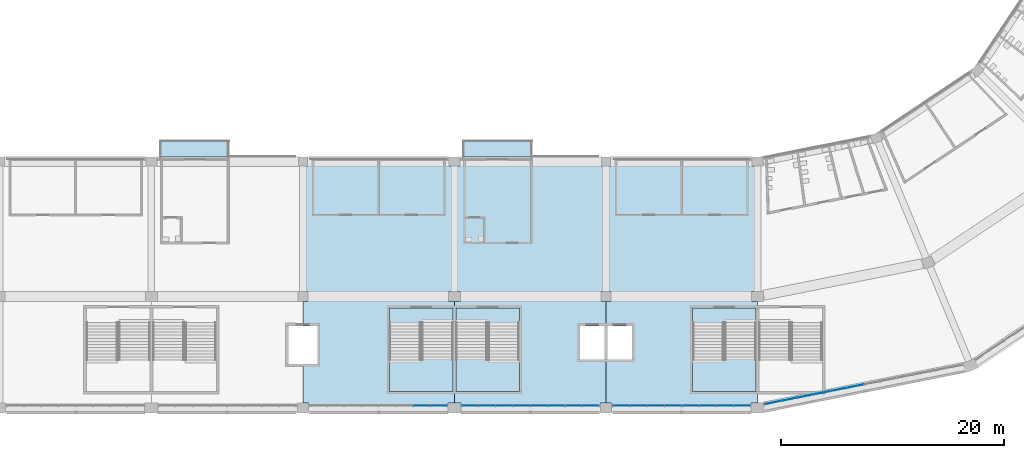
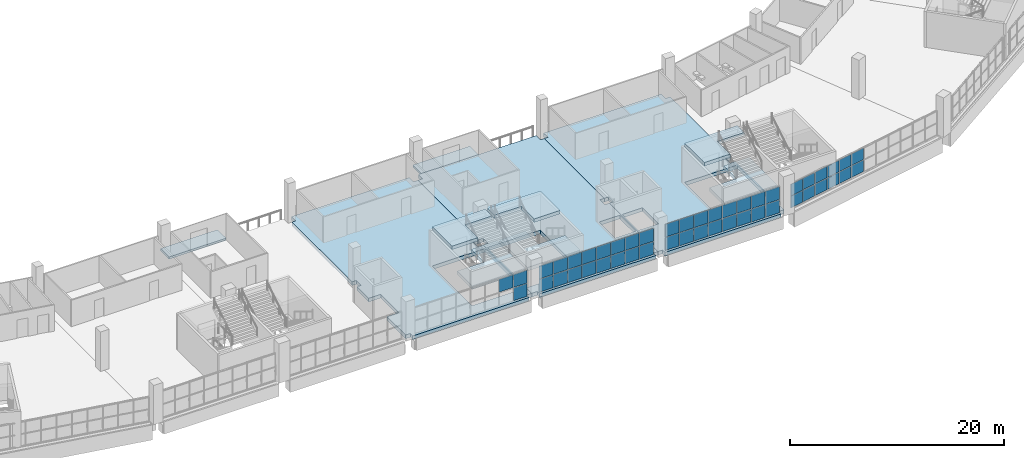
# One storey, part 58 of 199: 47 plates, 11 slabs, 7 elements without a shape of their own.
"""IFC4 building model written with IfcOpenShell, lengths in metres."""

from ifc_helpers import new_model, si_unit, direction, frame, origin, origin_2d, place, context, subcontext, project, spatial, polyline, rectangle, outline, extrude, material, layer, layer_set, type_object, element, aggregate, save


model = new_model("IFC4")

# Units and contexts
model_context = context("Model", 3, precision=1e-05, world=origin(), true_north=direction((0.0, 1.0)))
body_context = subcontext(model_context, "Body", "Model", "MODEL_VIEW")
ifc_project = project(units=[si_unit("LENGTHUNIT", "METRE"), si_unit("AREAUNIT", "SQUARE_METRE"), si_unit("VOLUMEUNIT", "CUBIC_METRE"), si_unit("PLANEANGLEUNIT", "RADIAN"), si_unit("MASSUNIT", "GRAM", prefix="KILO")], contexts=[model_context])

# Site, building, storey
site_placement = place(None, origin())
site = spatial("IfcSite", under=ifc_project, at=site_placement, CompositionType="ELEMENT")
building_placement = place(site_placement, origin())
building = spatial("IfcBuilding", under=site, at=building_placement, Name="Ogive Plaza Stadium", CompositionType="ELEMENT")
storey_placement = place(building_placement, frame((0.0, 0.0, 9.0)))
storey = spatial("IfcBuildingStorey", under=building, at=storey_placement, Name="L02", CompositionType="ELEMENT", Elevation=9.0)

# Slabs
ifc_material_1 = material(Name="Concrete C40/50", Category="concrete")
ifc_layer_1 = layer(ifc_material_1, 0.25)
ifc_layer_set_1 = layer_set([ifc_layer_1], Name="Concrete C40/50")
slab_type_1 = type_object("IfcSlabType", Name="Balcony slab 250", PredefinedType="FLOOR", material=ifc_layer_set_1)
slab_1_placement = place(storey_placement, frame((0.0, 0.0, -0.25)))
element("IfcSlab", 1, at=slab_1_placement, inside=storey, type_object=slab_type_1, Name="Suite terrace slab B13", PredefinedType="FLOOR", context=body_context, shape_type="SweptSolid", body=[
    extrude(outline(polyline([(7.625, -78.39990234375), (7.625, -80.0), (13.77490234375, -80.0), (13.77490234375, -78.39990234375), (7.625, -78.39990234375)])), origin(), (0.0, 0.0, 1.0), 0.25),
])
slab_2_placement = place(storey_placement, frame((0.0, 0.0, -0.25)))
element("IfcSlab", 2, at=slab_2_placement, inside=storey, type_object=slab_type_1, Name="Suite terrace slab B15", PredefinedType="FLOOR", context=body_context, shape_type="SweptSolid", body=[
    extrude(outline(polyline([(-19.574951171875, -78.39990234375), (-19.574951171875, -80.0), (-13.425048828125, -80.0), (-13.425048828125, -78.39990234375), (-19.574951171875, -78.39990234375)])), origin(), (0.0, 0.0, 1.0), 0.25),
])

# Curtain wall, plates
ifc_material_2 = material(Name="Bronze-anodised aluminium with laminated glass", Category="aluminium")
curtain_wall_type = type_object("IfcCurtainWallType", Name="Lancet curtain wall", PredefinedType="NOTDEFINED", material=ifc_material_2)
curtain_wall_1_placement = place(storey_placement, origin())
curtain_wall_1 = element("IfcCurtainWall", 3, at=curtain_wall_1_placement, inside=storey, type_object=curtain_wall_type, Name="CURTAIN WALL B11 L02", PredefinedType="NOTDEFINED")
ifc_material_3 = material(Name="Laminated glass", Category="glass")
ifc_layer_2 = layer(ifc_material_3, 0.028076171875)
ifc_layer_set_2 = layer_set([ifc_layer_2], Name="Laminated glass panel 28")
plate_type = type_object("IfcPlateType", Name="Laminated glass panel 28", PredefinedType="CURTAIN_PANEL", material=ifc_layer_set_2)
plate_1_placement = place(storey_placement, frame((42.78564453125, -100.548583984375, 0.0498046875), z_axis=(0.0, 0.0, 1.0), x_axis=(-0.980785280403, -0.195090322016, 0.0)))
plate_1 = element("IfcPlate", 4, at=plate_1_placement, type_object=plate_type, Name="CW-B11-L02 panel 7.1", PredefinedType="CURTAIN_PANEL", context=body_context, shape_type="SweptSolid", body=[
    extrude(rectangle(XDim=1.4638671875, YDim=0.028076171875, at=origin_2d()), origin(), (0.0, 0.0, 1.0), 1.320068359375),
])
plate_2_placement = place(storey_placement, frame((42.78564453125, -100.548583984375, 1.419921875), z_axis=(0.0, 0.0, 1.0), x_axis=(-0.980785280403, -0.195090322016, 0.0)))
plate_2 = element("IfcPlate", 5, at=plate_2_placement, type_object=plate_type, Name="CW-B11-L02 panel 7.2", PredefinedType="CURTAIN_PANEL", context=body_context, shape_type="SweptSolid", body=[
    extrude(rectangle(XDim=1.4638671875, YDim=0.028076171875, at=origin_2d()), origin(), (0.0, 0.0, 1.0), 1.320068359375),
])
plate_3_placement = place(storey_placement, frame((41.301025390625, -100.84375, 0.0498046875), z_axis=(0.0, 0.0, 1.0), x_axis=(-0.980785280403, -0.195090322016, 0.0)))
plate_3 = element("IfcPlate", 6, at=plate_3_placement, type_object=plate_type, Name="CW-B11-L02 panel 8.1", PredefinedType="CURTAIN_PANEL", context=body_context, shape_type="SweptSolid", body=[
    extrude(rectangle(XDim=1.4638671875, YDim=0.028076171875, at=origin_2d()), origin(), (0.0, 0.0, 1.0), 1.320068359375),
])
plate_4_placement = place(storey_placement, frame((41.301025390625, -100.84375, 1.419921875), z_axis=(0.0, 0.0, 1.0), x_axis=(-0.980785280403, -0.195090322016, 0.0)))
plate_4 = element("IfcPlate", 7, at=plate_4_placement, type_object=plate_type, Name="CW-B11-L02 panel 8.2", PredefinedType="CURTAIN_PANEL", context=body_context, shape_type="SweptSolid", body=[
    extrude(rectangle(XDim=1.4638671875, YDim=0.028076171875, at=origin_2d()), origin(), (0.0, 0.0, 1.0), 1.320068359375),
])
plate_5_placement = place(storey_placement, frame((39.816162109375, -101.13916015625, 0.0498046875), z_axis=(0.0, 0.0, 1.0), x_axis=(-0.980785280403, -0.195090322016, 0.0)))
plate_5 = element("IfcPlate", 8, at=plate_5_placement, type_object=plate_type, Name="CW-B11-L02 panel 9.1", PredefinedType="CURTAIN_PANEL", context=body_context, shape_type="SweptSolid", body=[
    extrude(rectangle(XDim=1.4638671875, YDim=0.028076171875, at=origin_2d()), origin(), (0.0, 0.0, 1.0), 1.320068359375),
])
plate_6_placement = place(storey_placement, frame((39.816162109375, -101.13916015625, 1.419921875), z_axis=(0.0, 0.0, 1.0), x_axis=(-0.980785280403, -0.195090322016, 0.0)))
plate_6 = element("IfcPlate", 9, at=plate_6_placement, type_object=plate_type, Name="CW-B11-L02 panel 9.2", PredefinedType="CURTAIN_PANEL", context=body_context, shape_type="SweptSolid", body=[
    extrude(rectangle(XDim=1.4638671875, YDim=0.028076171875, at=origin_2d()), origin(), (0.0, 0.0, 1.0), 1.320068359375),
])
plate_7_placement = place(storey_placement, frame((38.331298828125, -101.4345703125, 0.0498046875), z_axis=(0.0, 0.0, 1.0), x_axis=(-0.980785280403, -0.195090322016, 0.0)))
plate_7 = element("IfcPlate", 10, at=plate_7_placement, type_object=plate_type, Name="CW-B11-L02 panel 10.1", PredefinedType="CURTAIN_PANEL", context=body_context, shape_type="SweptSolid", body=[
    extrude(rectangle(XDim=1.4638671875, YDim=0.028076171875, at=origin_2d()), origin(), (0.0, 0.0, 1.0), 1.320068359375),
])
plate_8_placement = place(storey_placement, frame((38.331298828125, -101.4345703125, 1.419921875), z_axis=(0.0, 0.0, 1.0), x_axis=(-0.980785280403, -0.195090322016, 0.0)))
plate_8 = element("IfcPlate", 11, at=plate_8_placement, type_object=plate_type, Name="CW-B11-L02 panel 10.2", PredefinedType="CURTAIN_PANEL", context=body_context, shape_type="SweptSolid", body=[
    extrude(rectangle(XDim=1.4638671875, YDim=0.028076171875, at=origin_2d()), origin(), (0.0, 0.0, 1.0), 1.320068359375),
])
plate_9_placement = place(storey_placement, frame((36.8466796875, -101.729736328125, 0.0498046875), z_axis=(0.0, 0.0, 1.0), x_axis=(-0.980785280403, -0.195090322016, 0.0)))
plate_9 = element("IfcPlate", 12, at=plate_9_placement, type_object=plate_type, Name="CW-B11-L02 panel 11.1", PredefinedType="CURTAIN_PANEL", context=body_context, shape_type="SweptSolid", body=[
    extrude(rectangle(XDim=1.4638671875, YDim=0.028076171875, at=origin_2d()), origin(), (0.0, 0.0, 1.0), 1.320068359375),
])
plate_10_placement = place(storey_placement, frame((36.8466796875, -101.729736328125, 1.419921875), z_axis=(0.0, 0.0, 1.0), x_axis=(-0.980785280403, -0.195090322016, 0.0)))
plate_10 = element("IfcPlate", 13, at=plate_10_placement, type_object=plate_type, Name="CW-B11-L02 panel 11.2", PredefinedType="CURTAIN_PANEL", context=body_context, shape_type="SweptSolid", body=[
    extrude(rectangle(XDim=1.4638671875, YDim=0.028076171875, at=origin_2d()), origin(), (0.0, 0.0, 1.0), 1.320068359375),
])
plate_11_placement = place(storey_placement, frame((35.374267578125, -102.022705078125, 0.0498046875), z_axis=(0.0, 0.0, 1.0), x_axis=(-0.980785280403, -0.195090322016, 0.0)))
plate_11 = element("IfcPlate", 14, at=plate_11_placement, type_object=plate_type, Name="CW-B11-L02 panel 12.1", PredefinedType="CURTAIN_PANEL", context=body_context, shape_type="SweptSolid", body=[
    extrude(rectangle(XDim=1.43896484375, YDim=0.028076171875, at=origin_2d()), origin(), (0.0, 0.0, 1.0), 1.320068359375),
])
plate_12_placement = place(storey_placement, frame((35.374267578125, -102.022705078125, 1.419921875), z_axis=(0.0, 0.0, 1.0), x_axis=(-0.980785280403, -0.195090322016, 0.0)))
plate_12 = element("IfcPlate", 15, at=plate_12_placement, type_object=plate_type, Name="CW-B11-L02 panel 12.2", PredefinedType="CURTAIN_PANEL", context=body_context, shape_type="SweptSolid", body=[
    extrude(rectangle(XDim=1.43896484375, YDim=0.028076171875, at=origin_2d()), origin(), (0.0, 0.0, 1.0), 1.320068359375),
])
aggregate(curtain_wall_1, [plate_1, plate_2, plate_3, plate_4, plate_5, plate_6, plate_7, plate_8, plate_9, plate_10, plate_11, plate_12])

curtain_wall_2_placement = place(storey_placement, origin())
curtain_wall_2 = element("IfcCurtainWall", 16, at=curtain_wall_2_placement, inside=storey, type_object=curtain_wall_type, Name="CURTAIN WALL B12 L02", PredefinedType="NOTDEFINED")
plate_13_placement = place(storey_placement, frame((32.612548828125, -102.300048828125, 0.0498046875), z_axis=(0.0, 0.0, 1.0), x_axis=(-1.0, 0.0, 0.0)))
plate_13 = element("IfcPlate", 17, at=plate_13_placement, type_object=plate_type, Name="CW-B12-L02 panel 1.1", PredefinedType="CURTAIN_PANEL", context=body_context, shape_type="SweptSolid", body=[
    extrude(rectangle(XDim=1.47509765625, YDim=0.028076171875, at=origin_2d()), origin(), (0.0, 0.0, 1.0), 1.469970703125),
])
plate_14_placement = place(storey_placement, frame((32.612548828125, -102.300048828125, 1.56982421875), z_axis=(0.0, 0.0, 1.0), x_axis=(-1.0, 0.0, 0.0)))
plate_14 = element("IfcPlate", 18, at=plate_14_placement, type_object=plate_type, Name="CW-B12-L02 panel 1.2", PredefinedType="CURTAIN_PANEL", context=body_context, shape_type="SweptSolid", body=[
    extrude(rectangle(XDim=1.47509765625, YDim=0.028076171875, at=origin_2d()), origin(), (0.0, 0.0, 1.0), 1.469970703125),
])
plate_15_placement = place(storey_placement, frame((31.074951171875, -102.300048828125, 0.0498046875), z_axis=(0.0, 0.0, 1.0), x_axis=(-1.0, 0.0, 0.0)))
plate_15 = element("IfcPlate", 19, at=plate_15_placement, type_object=plate_type, Name="CW-B12-L02 panel 2.1", PredefinedType="CURTAIN_PANEL", context=body_context, shape_type="SweptSolid", body=[
    extrude(rectangle(XDim=1.5, YDim=0.028076171875, at=origin_2d()), origin(), (0.0, 0.0, 1.0), 1.469970703125),
])
plate_16_placement = place(storey_placement, frame((31.074951171875, -102.300048828125, 1.56982421875), z_axis=(0.0, 0.0, 1.0), x_axis=(-1.0, 0.0, 0.0)))
plate_16 = element("IfcPlate", 20, at=plate_16_placement, type_object=plate_type, Name="CW-B12-L02 panel 2.2", PredefinedType="CURTAIN_PANEL", context=body_context, shape_type="SweptSolid", body=[
    extrude(rectangle(XDim=1.5, YDim=0.028076171875, at=origin_2d()), origin(), (0.0, 0.0, 1.0), 1.469970703125),
])
plate_17_placement = place(storey_placement, frame((29.52490234375, -102.300048828125, 0.0498046875), z_axis=(0.0, 0.0, 1.0), x_axis=(-1.0, 0.0, 0.0)))
plate_17 = element("IfcPlate", 21, at=plate_17_placement, type_object=plate_type, Name="CW-B12-L02 panel 3.1", PredefinedType="CURTAIN_PANEL", context=body_context, shape_type="SweptSolid", body=[
    extrude(rectangle(XDim=1.5, YDim=0.028076171875, at=origin_2d()), origin(), (0.0, 0.0, 1.0), 1.469970703125),
])
plate_18_placement = place(storey_placement, frame((29.52490234375, -102.300048828125, 1.56982421875), z_axis=(0.0, 0.0, 1.0), x_axis=(-1.0, 0.0, 0.0)))
plate_18 = element("IfcPlate", 22, at=plate_18_placement, type_object=plate_type, Name="CW-B12-L02 panel 3.2", PredefinedType="CURTAIN_PANEL", context=body_context, shape_type="SweptSolid", body=[
    extrude(rectangle(XDim=1.5, YDim=0.028076171875, at=origin_2d()), origin(), (0.0, 0.0, 1.0), 1.469970703125),
])
plate_19_placement = place(storey_placement, frame((27.97509765625, -102.300048828125, 0.0498046875), z_axis=(0.0, 0.0, 1.0), x_axis=(-1.0, 0.0, 0.0)))
plate_19 = element("IfcPlate", 23, at=plate_19_placement, type_object=plate_type, Name="CW-B12-L02 panel 4.1", PredefinedType="CURTAIN_PANEL", context=body_context, shape_type="SweptSolid", body=[
    extrude(rectangle(XDim=1.5, YDim=0.028076171875, at=origin_2d()), origin(), (0.0, 0.0, 1.0), 1.469970703125),
])
plate_20_placement = place(storey_placement, frame((27.97509765625, -102.300048828125, 1.56982421875), z_axis=(0.0, 0.0, 1.0), x_axis=(-1.0, 0.0, 0.0)))
plate_20 = element("IfcPlate", 24, at=plate_20_placement, type_object=plate_type, Name="CW-B12-L02 panel 4.2", PredefinedType="CURTAIN_PANEL", context=body_context, shape_type="SweptSolid", body=[
    extrude(rectangle(XDim=1.5, YDim=0.028076171875, at=origin_2d()), origin(), (0.0, 0.0, 1.0), 1.469970703125),
])
plate_21_placement = place(storey_placement, frame((26.425048828125, -102.300048828125, 0.0498046875), z_axis=(0.0, 0.0, 1.0), x_axis=(-1.0, 0.0, 0.0)))
plate_21 = element("IfcPlate", 25, at=plate_21_placement, type_object=plate_type, Name="CW-B12-L02 panel 5.1", PredefinedType="CURTAIN_PANEL", context=body_context, shape_type="SweptSolid", body=[
    extrude(rectangle(XDim=1.5, YDim=0.028076171875, at=origin_2d()), origin(), (0.0, 0.0, 1.0), 1.469970703125),
])
plate_22_placement = place(storey_placement, frame((26.425048828125, -102.300048828125, 1.56982421875), z_axis=(0.0, 0.0, 1.0), x_axis=(-1.0, 0.0, 0.0)))
plate_22 = element("IfcPlate", 26, at=plate_22_placement, type_object=plate_type, Name="CW-B12-L02 panel 5.2", PredefinedType="CURTAIN_PANEL", context=body_context, shape_type="SweptSolid", body=[
    extrude(rectangle(XDim=1.5, YDim=0.028076171875, at=origin_2d()), origin(), (0.0, 0.0, 1.0), 1.469970703125),
])
plate_23_placement = place(storey_placement, frame((24.875, -102.300048828125, 0.0498046875), z_axis=(0.0, 0.0, 1.0), x_axis=(-1.0, 0.0, 0.0)))
plate_23 = element("IfcPlate", 27, at=plate_23_placement, type_object=plate_type, Name="CW-B12-L02 panel 6.1", PredefinedType="CURTAIN_PANEL", context=body_context, shape_type="SweptSolid", body=[
    extrude(rectangle(XDim=1.5, YDim=0.028076171875, at=origin_2d()), origin(), (0.0, 0.0, 1.0), 1.469970703125),
])
plate_24_placement = place(storey_placement, frame((24.875, -102.300048828125, 1.56982421875), z_axis=(0.0, 0.0, 1.0), x_axis=(-1.0, 0.0, 0.0)))
plate_24 = element("IfcPlate", 28, at=plate_24_placement, type_object=plate_type, Name="CW-B12-L02 panel 6.2", PredefinedType="CURTAIN_PANEL", context=body_context, shape_type="SweptSolid", body=[
    extrude(rectangle(XDim=1.5, YDim=0.028076171875, at=origin_2d()), origin(), (0.0, 0.0, 1.0), 1.469970703125),
])
plate_25_placement = place(storey_placement, frame((23.324951171875, -102.300048828125, 0.0498046875), z_axis=(0.0, 0.0, 1.0), x_axis=(-1.0, 0.0, 0.0)))
plate_25 = element("IfcPlate", 29, at=plate_25_placement, type_object=plate_type, Name="CW-B12-L02 panel 7.1", PredefinedType="CURTAIN_PANEL", context=body_context, shape_type="SweptSolid", body=[
    extrude(rectangle(XDim=1.5, YDim=0.028076171875, at=origin_2d()), origin(), (0.0, 0.0, 1.0), 1.469970703125),
])
plate_26_placement = place(storey_placement, frame((23.324951171875, -102.300048828125, 1.56982421875), z_axis=(0.0, 0.0, 1.0), x_axis=(-1.0, 0.0, 0.0)))
plate_26 = element("IfcPlate", 30, at=plate_26_placement, type_object=plate_type, Name="CW-B12-L02 panel 7.2", PredefinedType="CURTAIN_PANEL", context=body_context, shape_type="SweptSolid", body=[
    extrude(rectangle(XDim=1.5, YDim=0.028076171875, at=origin_2d()), origin(), (0.0, 0.0, 1.0), 1.469970703125),
])
plate_27_placement = place(storey_placement, frame((21.78759765625, -102.300048828125, 0.0498046875), z_axis=(0.0, 0.0, 1.0), x_axis=(-1.0, 0.0, 0.0)))
plate_27 = element("IfcPlate", 31, at=plate_27_placement, type_object=plate_type, Name="CW-B12-L02 panel 8.1", PredefinedType="CURTAIN_PANEL", context=body_context, shape_type="SweptSolid", body=[
    extrude(rectangle(XDim=1.47509765625, YDim=0.028076171875, at=origin_2d()), origin(), (0.0, 0.0, 1.0), 1.469970703125),
])
plate_28_placement = place(storey_placement, frame((21.78759765625, -102.300048828125, 1.56982421875), z_axis=(0.0, 0.0, 1.0), x_axis=(-1.0, 0.0, 0.0)))
plate_28 = element("IfcPlate", 32, at=plate_28_placement, type_object=plate_type, Name="CW-B12-L02 panel 8.2", PredefinedType="CURTAIN_PANEL", context=body_context, shape_type="SweptSolid", body=[
    extrude(rectangle(XDim=1.47509765625, YDim=0.028076171875, at=origin_2d()), origin(), (0.0, 0.0, 1.0), 1.469970703125),
])
aggregate(curtain_wall_2, [plate_13, plate_14, plate_15, plate_16, plate_17, plate_18, plate_19, plate_20, plate_21, plate_22, plate_23, plate_24, plate_25, plate_26, plate_27, plate_28])

curtain_wall_3_placement = place(storey_placement, origin())
curtain_wall_3 = element("IfcCurtainWall", 33, at=curtain_wall_3_placement, inside=storey, type_object=curtain_wall_type, Name="CURTAIN WALL B13 L02", PredefinedType="NOTDEFINED")
plate_29_placement = place(storey_placement, frame((19.012451171875, -102.300048828125, 0.0498046875), z_axis=(0.0, 0.0, 1.0), x_axis=(-1.0, 0.0, 0.0)))
plate_29 = element("IfcPlate", 34, at=plate_29_placement, type_object=plate_type, Name="CW-B13-L02 panel 1.1", PredefinedType="CURTAIN_PANEL", context=body_context, shape_type="SweptSolid", body=[
    extrude(rectangle(XDim=1.47509765625, YDim=0.028076171875, at=origin_2d()), origin(), (0.0, 0.0, 1.0), 1.469970703125),
])
plate_30_placement = place(storey_placement, frame((19.012451171875, -102.300048828125, 1.56982421875), z_axis=(0.0, 0.0, 1.0), x_axis=(-1.0, 0.0, 0.0)))
plate_30 = element("IfcPlate", 35, at=plate_30_placement, type_object=plate_type, Name="CW-B13-L02 panel 1.2", PredefinedType="CURTAIN_PANEL", context=body_context, shape_type="SweptSolid", body=[
    extrude(rectangle(XDim=1.47509765625, YDim=0.028076171875, at=origin_2d()), origin(), (0.0, 0.0, 1.0), 1.469970703125),
])
plate_31_placement = place(storey_placement, frame((17.47509765625, -102.300048828125, 0.0498046875), z_axis=(0.0, 0.0, 1.0), x_axis=(-1.0, 0.0, 0.0)))
plate_31 = element("IfcPlate", 36, at=plate_31_placement, type_object=plate_type, Name="CW-B13-L02 panel 2.1", PredefinedType="CURTAIN_PANEL", context=body_context, shape_type="SweptSolid", body=[
    extrude(rectangle(XDim=1.5, YDim=0.028076171875, at=origin_2d()), origin(), (0.0, 0.0, 1.0), 1.469970703125),
])
plate_32_placement = place(storey_placement, frame((17.47509765625, -102.300048828125, 1.56982421875), z_axis=(0.0, 0.0, 1.0), x_axis=(-1.0, 0.0, 0.0)))
plate_32 = element("IfcPlate", 37, at=plate_32_placement, type_object=plate_type, Name="CW-B13-L02 panel 2.2", PredefinedType="CURTAIN_PANEL", context=body_context, shape_type="SweptSolid", body=[
    extrude(rectangle(XDim=1.5, YDim=0.028076171875, at=origin_2d()), origin(), (0.0, 0.0, 1.0), 1.469970703125),
])
plate_33_placement = place(storey_placement, frame((15.925048828125, -102.300048828125, 0.0498046875), z_axis=(0.0, 0.0, 1.0), x_axis=(-1.0, 0.0, 0.0)))
plate_33 = element("IfcPlate", 38, at=plate_33_placement, type_object=plate_type, Name="CW-B13-L02 panel 3.1", PredefinedType="CURTAIN_PANEL", context=body_context, shape_type="SweptSolid", body=[
    extrude(rectangle(XDim=1.5, YDim=0.028076171875, at=origin_2d()), origin(), (0.0, 0.0, 1.0), 1.469970703125),
])
plate_34_placement = place(storey_placement, frame((15.925048828125, -102.300048828125, 1.56982421875), z_axis=(0.0, 0.0, 1.0), x_axis=(-1.0, 0.0, 0.0)))
plate_34 = element("IfcPlate", 39, at=plate_34_placement, type_object=plate_type, Name="CW-B13-L02 panel 3.2", PredefinedType="CURTAIN_PANEL", context=body_context, shape_type="SweptSolid", body=[
    extrude(rectangle(XDim=1.5, YDim=0.028076171875, at=origin_2d()), origin(), (0.0, 0.0, 1.0), 1.469970703125),
])
plate_35_placement = place(storey_placement, frame((14.375, -102.300048828125, 0.0498046875), z_axis=(0.0, 0.0, 1.0), x_axis=(-1.0, 0.0, 0.0)))
plate_35 = element("IfcPlate", 40, at=plate_35_placement, type_object=plate_type, Name="CW-B13-L02 panel 4.1", PredefinedType="CURTAIN_PANEL", context=body_context, shape_type="SweptSolid", body=[
    extrude(rectangle(XDim=1.5, YDim=0.028076171875, at=origin_2d()), origin(), (0.0, 0.0, 1.0), 1.469970703125),
])
plate_36_placement = place(storey_placement, frame((14.375, -102.300048828125, 1.56982421875), z_axis=(0.0, 0.0, 1.0), x_axis=(-1.0, 0.0, 0.0)))
plate_36 = element("IfcPlate", 41, at=plate_36_placement, type_object=plate_type, Name="CW-B13-L02 panel 4.2", PredefinedType="CURTAIN_PANEL", context=body_context, shape_type="SweptSolid", body=[
    extrude(rectangle(XDim=1.5, YDim=0.028076171875, at=origin_2d()), origin(), (0.0, 0.0, 1.0), 1.469970703125),
])
plate_37_placement = place(storey_placement, frame((12.824951171875, -102.300048828125, 0.0498046875), z_axis=(0.0, 0.0, 1.0), x_axis=(-1.0, 0.0, 0.0)))
plate_37 = element("IfcPlate", 42, at=plate_37_placement, type_object=plate_type, Name="CW-B13-L02 panel 5.1", PredefinedType="CURTAIN_PANEL", context=body_context, shape_type="SweptSolid", body=[
    extrude(rectangle(XDim=1.5, YDim=0.028076171875, at=origin_2d()), origin(), (0.0, 0.0, 1.0), 1.469970703125),
])
plate_38_placement = place(storey_placement, frame((12.824951171875, -102.300048828125, 1.56982421875), z_axis=(0.0, 0.0, 1.0), x_axis=(-1.0, 0.0, 0.0)))
plate_38 = element("IfcPlate", 43, at=plate_38_placement, type_object=plate_type, Name="CW-B13-L02 panel 5.2", PredefinedType="CURTAIN_PANEL", context=body_context, shape_type="SweptSolid", body=[
    extrude(rectangle(XDim=1.5, YDim=0.028076171875, at=origin_2d()), origin(), (0.0, 0.0, 1.0), 1.469970703125),
])
plate_39_placement = place(storey_placement, frame((11.27490234375, -102.300048828125, 0.0498046875), z_axis=(0.0, 0.0, 1.0), x_axis=(-1.0, 0.0, 0.0)))
plate_39 = element("IfcPlate", 44, at=plate_39_placement, type_object=plate_type, Name="CW-B13-L02 panel 6.1", PredefinedType="CURTAIN_PANEL", context=body_context, shape_type="SweptSolid", body=[
    extrude(rectangle(XDim=1.5, YDim=0.028076171875, at=origin_2d()), origin(), (0.0, 0.0, 1.0), 1.469970703125),
])
plate_40_placement = place(storey_placement, frame((11.27490234375, -102.300048828125, 1.56982421875), z_axis=(0.0, 0.0, 1.0), x_axis=(-1.0, 0.0, 0.0)))
plate_40 = element("IfcPlate", 45, at=plate_40_placement, type_object=plate_type, Name="CW-B13-L02 panel 6.2", PredefinedType="CURTAIN_PANEL", context=body_context, shape_type="SweptSolid", body=[
    extrude(rectangle(XDim=1.5, YDim=0.028076171875, at=origin_2d()), origin(), (0.0, 0.0, 1.0), 1.469970703125),
])
plate_41_placement = place(storey_placement, frame((9.72509765625, -102.300048828125, 0.0498046875), z_axis=(0.0, 0.0, 1.0), x_axis=(-1.0, 0.0, 0.0)))
plate_41 = element("IfcPlate", 46, at=plate_41_placement, type_object=plate_type, Name="CW-B13-L02 panel 7.1", PredefinedType="CURTAIN_PANEL", context=body_context, shape_type="SweptSolid", body=[
    extrude(rectangle(XDim=1.5, YDim=0.028076171875, at=origin_2d()), origin(), (0.0, 0.0, 1.0), 1.469970703125),
])
plate_42_placement = place(storey_placement, frame((9.72509765625, -102.300048828125, 1.56982421875), z_axis=(0.0, 0.0, 1.0), x_axis=(-1.0, 0.0, 0.0)))
plate_42 = element("IfcPlate", 47, at=plate_42_placement, type_object=plate_type, Name="CW-B13-L02 panel 7.2", PredefinedType="CURTAIN_PANEL", context=body_context, shape_type="SweptSolid", body=[
    extrude(rectangle(XDim=1.5, YDim=0.028076171875, at=origin_2d()), origin(), (0.0, 0.0, 1.0), 1.469970703125),
])
plate_43_placement = place(storey_placement, frame((8.1875, -102.300048828125, 0.0498046875), z_axis=(0.0, 0.0, 1.0), x_axis=(-1.0, 0.0, 0.0)))
plate_43 = element("IfcPlate", 48, at=plate_43_placement, type_object=plate_type, Name="CW-B13-L02 panel 8.1", PredefinedType="CURTAIN_PANEL", context=body_context, shape_type="SweptSolid", body=[
    extrude(rectangle(XDim=1.47509765625, YDim=0.028076171875, at=origin_2d()), origin(), (0.0, 0.0, 1.0), 1.469970703125),
])
plate_44_placement = place(storey_placement, frame((8.1875, -102.300048828125, 1.56982421875), z_axis=(0.0, 0.0, 1.0), x_axis=(-1.0, 0.0, 0.0)))
plate_44 = element("IfcPlate", 49, at=plate_44_placement, type_object=plate_type, Name="CW-B13-L02 panel 8.2", PredefinedType="CURTAIN_PANEL", context=body_context, shape_type="SweptSolid", body=[
    extrude(rectangle(XDim=1.47509765625, YDim=0.028076171875, at=origin_2d()), origin(), (0.0, 0.0, 1.0), 1.469970703125),
])
aggregate(curtain_wall_3, [plate_29, plate_30, plate_31, plate_32, plate_33, plate_34, plate_35, plate_36, plate_37, plate_38, plate_39, plate_40, plate_41, plate_42, plate_43, plate_44])

curtain_wall_4_placement = place(storey_placement, origin())
curtain_wall_4 = element("IfcCurtainWall", 50, at=curtain_wall_4_placement, inside=storey, type_object=curtain_wall_type, Name="CURTAIN WALL B14 L02", PredefinedType="NOTDEFINED")
plate_45_placement = place(storey_placement, frame((5.41259765625, -102.300048828125, 0.0498046875), z_axis=(0.0, 0.0, 1.0), x_axis=(-1.0, 0.0, 0.0)))
plate_45 = element("IfcPlate", 51, at=plate_45_placement, type_object=plate_type, Name="CW-B14-L02 panel 1.1", PredefinedType="CURTAIN_PANEL", context=body_context, shape_type="SweptSolid", body=[
    extrude(rectangle(XDim=1.47509765625, YDim=0.028076171875, at=origin_2d()), origin(), (0.0, 0.0, 1.0), 1.469970703125),
])
plate_46_placement = place(storey_placement, frame((5.41259765625, -102.300048828125, 1.56982421875), z_axis=(0.0, 0.0, 1.0), x_axis=(-1.0, 0.0, 0.0)))
plate_46 = element("IfcPlate", 52, at=plate_46_placement, type_object=plate_type, Name="CW-B14-L02 panel 1.2", PredefinedType="CURTAIN_PANEL", context=body_context, shape_type="SweptSolid", body=[
    extrude(rectangle(XDim=1.47509765625, YDim=0.028076171875, at=origin_2d()), origin(), (0.0, 0.0, 1.0), 1.469970703125),
])
plate_47_placement = place(storey_placement, frame((3.875, -102.300048828125, 1.56982421875), z_axis=(0.0, 0.0, 1.0), x_axis=(-1.0, 0.0, 0.0)))
plate_47 = element("IfcPlate", 53, at=plate_47_placement, type_object=plate_type, Name="CW-B14-L02 panel 2.2", PredefinedType="CURTAIN_PANEL", context=body_context, shape_type="SweptSolid", body=[
    extrude(rectangle(XDim=1.5, YDim=0.028076171875, at=origin_2d()), origin(), (0.0, 0.0, 1.0), 1.469970703125),
])
aggregate(curtain_wall_4, [plate_45, plate_46, plate_47])

# Slabs
ifc_material_4 = material(Name="Concrete C40/50", Category="concrete")
ifc_layer_3 = layer(ifc_material_4, 0.409912109375)
ifc_layer_set_3 = layer_set([ifc_layer_3], Name="Concrete C40/50")
slab_type_2 = type_object("IfcSlabType", Name="RC floor slab 410", PredefinedType="FLOOR", material=ifc_layer_set_3)
slab_3_placement = place(storey_placement, frame((0.0, 0.0, -0.409912109375)))
element("IfcSlab", 54, at=slab_3_placement, inside=storey, type_object=slab_type_2, Name="Floor slab L02 B12", PredefinedType="FLOOR", context=body_context, shape_type="SweptSolid", body=[
    extrude(outline(polyline([(20.39990234375, -92.050048828125), (20.85009765625, -92.050048828125), (20.85009765625, -92.949951171875), (20.39990234375, -92.949951171875), (20.39990234375, -102.050048828125), (20.89990234375, -102.050048828125), (20.89990234375, -102.5), (33.39990234375, -102.5), (33.39990234375, -102.050048828125), (34.0, -102.050048828125), (34.0, -92.949951171875), (33.449951171875, -92.949951171875), (33.449951171875, -92.050048828125), (34.0, -92.050048828125), (34.0, -80.800048828125), (33.5, -80.800048828125), (33.5, -80.0), (20.800048828125, -80.0), (20.800048828125, -80.800048828125), (20.39990234375, -80.800048828125), (20.39990234375, -92.050048828125)]), holes=[polyline([(33.875, -93.550048828125), (28.175048828125, -93.550048828125), (28.175048828125, -101.010009765625), (33.875, -101.010009765625), (33.875, -93.550048828125)]), polyline([(22.72509765625, -95.14990234375), (20.52490234375, -95.14990234375), (20.52490234375, -98.14990234375), (22.72509765625, -98.14990234375), (22.72509765625, -95.14990234375)])]), origin(), (0.0, 0.0, 1.0), 0.409912109375),
])
slab_4_placement = place(storey_placement, frame((0.0, 0.0, -0.409912109375)))
element("IfcSlab", 55, at=slab_4_placement, inside=storey, type_object=slab_type_2, Name="Floor slab L02 B13", PredefinedType="FLOOR", context=body_context, shape_type="SweptSolid", body=[
    extrude(outline(polyline([(6.800048828125, -92.050048828125), (7.35009765625, -92.050048828125), (7.35009765625, -92.949951171875), (6.800048828125, -92.949951171875), (6.800048828125, -102.050048828125), (7.39990234375, -102.050048828125), (7.39990234375, -102.5), (19.89990234375, -102.5), (19.89990234375, -102.050048828125), (20.39990234375, -102.050048828125), (20.39990234375, -92.949951171875), (19.949951171875, -92.949951171875), (19.949951171875, -92.050048828125), (20.39990234375, -92.050048828125), (20.39990234375, -80.800048828125), (20.0, -80.800048828125), (20.0, -80.0), (7.300048828125, -80.0), (7.300048828125, -80.800048828125), (6.800048828125, -80.800048828125), (6.800048828125, -92.050048828125)]), holes=[polyline([(12.625, -93.550048828125), (6.925048828125, -93.550048828125), (6.925048828125, -101.010009765625), (12.625, -101.010009765625), (12.625, -93.550048828125)]), polyline([(20.27490234375, -95.14990234375), (18.074951171875, -95.14990234375), (18.074951171875, -98.14990234375), (20.27490234375, -98.14990234375), (20.27490234375, -95.14990234375)])]), origin(), (0.0, 0.0, 1.0), 0.409912109375),
])
slab_5_placement = place(storey_placement, frame((0.0, 0.0, -0.409912109375)))
element("IfcSlab", 56, at=slab_5_placement, inside=storey, type_object=slab_type_2, Name="Floor slab L02 B14", PredefinedType="FLOOR", context=body_context, shape_type="SweptSolid", body=[
    extrude(outline(polyline([(-6.800048828125, -92.050048828125), (-6.35009765625, -92.050048828125), (-6.35009765625, -92.949951171875), (-6.800048828125, -92.949951171875), (-6.800048828125, -95.14990234375), (-5.5, -95.14990234375), (-5.5, -98.550048828125), (-6.800048828125, -98.550048828125), (-6.800048828125, -102.050048828125), (-6.300048828125, -102.050048828125), (-6.300048828125, -102.5), (6.199951171875, -102.5), (6.199951171875, -102.050048828125), (6.800048828125, -102.050048828125), (6.800048828125, -92.949951171875), (6.25, -92.949951171875), (6.25, -92.050048828125), (6.800048828125, -92.050048828125), (6.800048828125, -80.800048828125), (6.300048828125, -80.800048828125), (6.300048828125, -80.0), (-6.39990234375, -80.0), (-6.39990234375, -80.800048828125), (-6.800048828125, -80.800048828125), (-6.800048828125, -92.050048828125)]), holes=[polyline([(6.675048828125, -93.550048828125), (0.97509765625, -93.550048828125), (0.97509765625, -101.010009765625), (6.675048828125, -101.010009765625), (6.675048828125, -93.550048828125)])]), origin(), (0.0, 0.0, 1.0), 0.409912109375),
])

# Stair, slabs
ifc_material_5 = material(Name="Concrete C40/50", Category="concrete")
stair_type = type_object("IfcStairType", Name="Exit stair", PredefinedType="STRAIGHT_RUN_STAIR", material=ifc_material_5)
stair_1_placement = place(storey_placement, origin())
stair_1 = element("IfcStair", 57, at=stair_1_placement, inside=storey, type_object=stair_type, Name="Exit stair ST12A L02 to L03", PredefinedType="STRAIGHT_RUN_STAIR")
ifc_material_6 = material(Name="Concrete C40/50", Category="concrete")
ifc_layer_4 = layer(ifc_material_6, 0.39990234375)
ifc_layer_set_4 = layer_set([ifc_layer_4], Name="Concrete C40/50")
slab_type_3 = type_object("IfcSlabType", Name="Stair landing", PredefinedType="LANDING", material=ifc_layer_set_4)
slab_6_placement = place(storey_placement, frame((0.0, 0.0, 1.85009765625)))
slab_6 = element("IfcSlab", 58, at=slab_6_placement, type_object=slab_type_3, Name="ST12A landing 1", PredefinedType="LANDING", context=body_context, shape_type="SweptSolid", body=[
    extrude(outline(polyline([(33.875, -101.010009765625), (28.175048828125, -101.010009765625), (28.175048828125, -98.2099609375), (31.074951171875, -98.2099609375), (31.074951171875, -95.81005859375), (33.875, -95.81005859375), (33.875, -98.2099609375), (33.875, -101.010009765625)])), origin(), (0.0, 0.0, 1.0), 0.39990234375),
])
slab_7_placement = place(storey_placement, frame((0.0, 0.0, 4.10009765625)))
slab_7 = element("IfcSlab", 59, at=slab_7_placement, type_object=slab_type_3, Name="ST12A landing 2", PredefinedType="LANDING", context=body_context, shape_type="SweptSolid", body=[
    extrude(outline(polyline([(30.97509765625, -97.25), (28.175048828125, -97.25), (28.175048828125, -94.85009765625), (28.175048828125, -93.550048828125), (33.875, -93.550048828125), (33.875, -94.85009765625), (30.97509765625, -94.85009765625), (30.97509765625, -97.25)])), origin(), (0.0, 0.0, 1.0), 0.39990234375),
])
aggregate(stair_1, [slab_6, slab_7])

stair_2_placement = place(storey_placement, origin())
stair_2 = element("IfcStair", 60, at=stair_2_placement, inside=storey, type_object=stair_type, Name="Exit stair ST14A L02 to L03", PredefinedType="STRAIGHT_RUN_STAIR")
slab_8_placement = place(storey_placement, frame((0.0, 0.0, 1.85009765625)))
slab_8 = element("IfcSlab", 61, at=slab_8_placement, type_object=slab_type_3, Name="ST14A landing 1", PredefinedType="LANDING", context=body_context, shape_type="SweptSolid", body=[
    extrude(outline(polyline([(6.675048828125, -101.010009765625), (0.97509765625, -101.010009765625), (0.97509765625, -98.2099609375), (3.875, -98.2099609375), (3.875, -95.81005859375), (6.675048828125, -95.81005859375), (6.675048828125, -98.2099609375), (6.675048828125, -101.010009765625)])), origin(), (0.0, 0.0, 1.0), 0.39990234375),
])
slab_9_placement = place(storey_placement, frame((0.0, 0.0, 4.10009765625)))
slab_9 = element("IfcSlab", 62, at=slab_9_placement, type_object=slab_type_3, Name="ST14A landing 2", PredefinedType="LANDING", context=body_context, shape_type="SweptSolid", body=[
    extrude(outline(polyline([(3.77490234375, -97.25), (0.97509765625, -97.25), (0.97509765625, -94.85009765625), (0.97509765625, -93.550048828125), (6.675048828125, -93.550048828125), (6.675048828125, -94.85009765625), (3.77490234375, -94.85009765625), (3.77490234375, -97.25)])), origin(), (0.0, 0.0, 1.0), 0.39990234375),
])
aggregate(stair_2, [slab_8, slab_9])

stair_3_placement = place(storey_placement, origin())
stair_3 = element("IfcStair", 63, at=stair_3_placement, inside=storey, type_object=stair_type, Name="Exit stair ST14B L02 to L03", PredefinedType="STRAIGHT_RUN_STAIR")
slab_10_placement = place(storey_placement, frame((0.0, 0.0, 1.85009765625)))
slab_10 = element("IfcSlab", 64, at=slab_10_placement, type_object=slab_type_3, Name="ST14B landing 1", PredefinedType="LANDING", context=body_context, shape_type="SweptSolid", body=[
    extrude(outline(polyline([(6.925048828125, -95.81005859375), (9.72509765625, -95.81005859375), (9.72509765625, -98.2099609375), (12.625, -98.2099609375), (12.625, -101.010009765625), (6.925048828125, -101.010009765625), (6.925048828125, -98.2099609375), (6.925048828125, -95.81005859375)])), origin(), (0.0, 0.0, 1.0), 0.39990234375),
])
slab_11_placement = place(storey_placement, frame((0.0, 0.0, 4.10009765625)))
slab_11 = element("IfcSlab", 65, at=slab_11_placement, type_object=slab_type_3, Name="ST14B landing 2", PredefinedType="LANDING", context=body_context, shape_type="SweptSolid", body=[
    extrude(outline(polyline([(6.925048828125, -94.85009765625), (6.925048828125, -93.550048828125), (12.625, -93.550048828125), (12.625, -94.85009765625), (12.625, -97.25), (9.824951171875, -97.25), (9.824951171875, -94.85009765625), (6.925048828125, -94.85009765625)])), origin(), (0.0, 0.0, 1.0), 0.39990234375),
])
aggregate(stair_3, [slab_10, slab_11])

save(model, "model.ifc")
